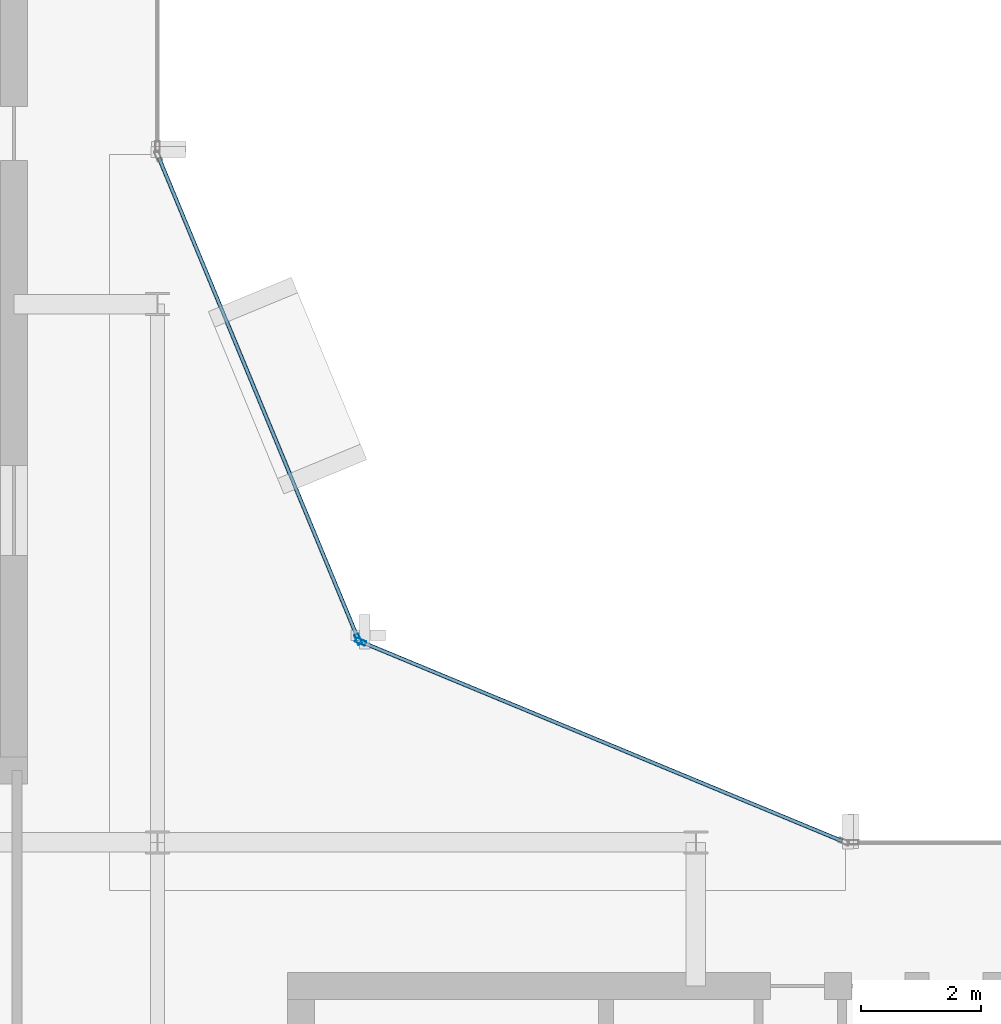
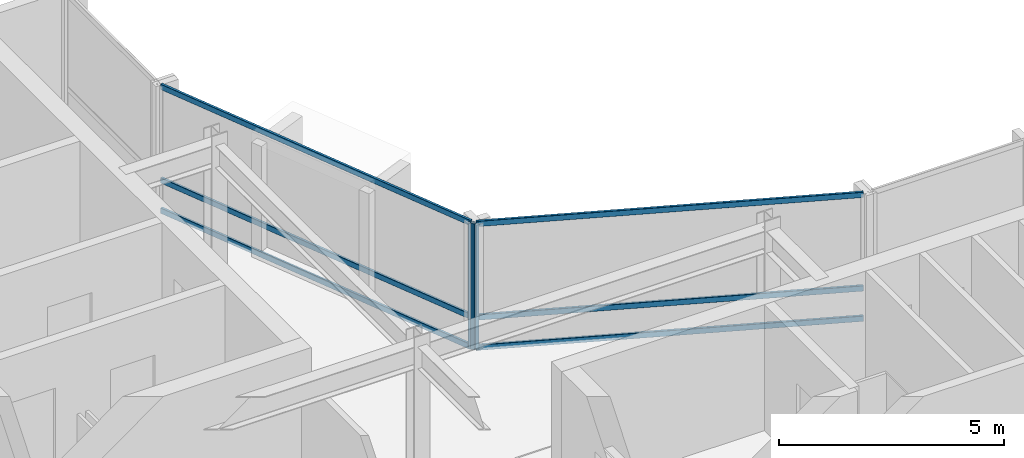
# One storey, part 8 of 19: 8 members, 2 elements without a shape of their own.
"""IFC4 building model written with IfcOpenShell, lengths in metres."""

from ifc_helpers import new_model, si_unit, direction, frame, origin, origin_2d, place, context, subcontext, project, spatial, hollow_rectangle, extrude, material, layer, layer_set, material_profile, profile_set, type_object, element, aggregate, save


model = new_model("IFC4")

# Units and contexts
model_context = context("Model", 3, precision=1e-05, world=origin(), true_north=direction((0.0, 1.0)))
body_context = subcontext(model_context, "Body", "Model", "MODEL_VIEW")
ifc_project = project(units=[si_unit("LENGTHUNIT", "METRE"), si_unit("AREAUNIT", "SQUARE_METRE"), si_unit("VOLUMEUNIT", "CUBIC_METRE"), si_unit("PLANEANGLEUNIT", "RADIAN"), si_unit("MASSUNIT", "GRAM", prefix="KILO")], contexts=[model_context])

# Site, building, storey
site_placement = place(None, origin())
site = spatial("IfcSite", under=ifc_project, at=site_placement, CompositionType="ELEMENT")
building_placement = place(site_placement, origin())
building = spatial("IfcBuilding", under=site, at=building_placement, Name="Solvaryn Broadcast Tower", CompositionType="ELEMENT")
storey_placement = place(building_placement, frame((0.0, 0.0, 259.300048828125)))
storey = spatial("IfcBuildingStorey", under=building, at=storey_placement, Name="L65", CompositionType="ELEMENT", Elevation=259.300048828125)

# Curtain wall, member
ifc_material_1 = material(Name="Aluminium and Terracotta Unitised Curtain Wall", Category="masonry")
ifc_layer = layer(ifc_material_1, 0.199951171875)
ifc_layer_set = layer_set([ifc_layer], Name="CW-SYS2-LOWMID")
curtain_wall_type = type_object("IfcCurtainWallType", Name="CW-SYS2-LOWMID", PredefinedType="NOTDEFINED", material=ifc_layer_set)
curtain_wall_1_placement = place(storey_placement, origin())
curtain_wall_1 = element("IfcCurtainWall", 1, at=curtain_wall_1_placement, inside=storey, type_object=curtain_wall_type, Name="L65 Curtain Wall CN1", PredefinedType="NOTDEFINED")
ifc_material_2 = material(Name="Anodised Aluminium 6063-T6", Category="aluminium")
ifc_material_profile_1 = material_profile(ifc_material_2, hollow_rectangle(XDim=0.074951171875, YDim=0.179931640625, WallThickness=0.00390625, InnerFilletRadius=0.00390625, OuterFilletRadius=0.008056640625, at=origin_2d()))
ifc_profile_set_1 = profile_set([ifc_material_profile_1], Name="Anodised Aluminium 6063-T6")
member_type_1 = type_object("IfcMemberType", Name="CW-MUL-180", PredefinedType="MULLION", material=ifc_profile_set_1)
member_1_placement = place(storey_placement, frame((30.395751953125, 30.3564453125, 0.0), z_axis=(0.0, 0.0, 1.0), x_axis=(-0.382646127145, -0.923894983957, 0.0)))
member_1 = element("IfcMember", 2, at=member_1_placement, type_object=member_type_1, Name="CWS2 mullion 2", PredefinedType="MULLION", context=body_context, shape_type="SweptSolid", body=[
    extrude(hollow_rectangle(XDim=0.074951171875, YDim=0.179931640625, WallThickness=0.00390625, InnerFilletRadius=0.00390625, OuterFilletRadius=0.008056640625, at=origin_2d()), origin(), (0.0, 0.0, 1.0), 3.419921875),
])

curtain_wall_2_placement = place(storey_placement, origin())
curtain_wall_2 = element("IfcCurtainWall", 3, at=curtain_wall_2_placement, inside=storey, type_object=curtain_wall_type, Name="L65 Curtain Wall CN2", PredefinedType="NOTDEFINED")
member_2_placement = place(storey_placement, frame((30.3564453125, 30.395751953125, 0.0), z_axis=(0.0, 0.0, 1.0), x_axis=(-0.923894983957, -0.382646127145, 0.0)))
member_2 = element("IfcMember", 4, at=member_2_placement, type_object=member_type_1, Name="CWS2 mullion 1", PredefinedType="MULLION", context=body_context, shape_type="SweptSolid", body=[
    extrude(hollow_rectangle(XDim=0.074951171875, YDim=0.179931640625, WallThickness=0.00390625, InnerFilletRadius=0.00390625, OuterFilletRadius=0.008056640625, at=origin_2d()), origin(), (0.0, 0.0, 1.0), 3.419921875),
])

# Member
ifc_material_3 = material(Name="Anodised Aluminium 6063-T6", Category="aluminium")
ifc_material_profile_2 = material_profile(ifc_material_3, hollow_rectangle(XDim=0.06494140625, YDim=0.14990234375, WallThickness=0.00390625, InnerFilletRadius=0.00390625, OuterFilletRadius=0.008056640625, at=origin_2d()))
ifc_profile_set_2 = profile_set([ifc_material_profile_2], Name="Anodised Aluminium 6063-T6")
member_type_2 = type_object("IfcMemberType", Name="CW-TRN-150", PredefinedType="USERDEFINED", material=ifc_profile_set_2)
member_3_placement = place(storey_placement, frame((38.444580078125, 27.02294921875, 0.030029296875), z_axis=(-0.923899282177, 0.382635748975, 0.0), x_axis=(-0.382635748975, -0.923899282177, 0.0)))
member_3 = element("IfcMember", 5, at=member_3_placement, type_object=member_type_2, Name="CWS2 transom 1.1", ObjectType="TRANSOM", PredefinedType="USERDEFINED", context=body_context, shape_type="SweptSolid", body=[
    extrude(hollow_rectangle(XDim=0.06494140625, YDim=0.14990234375, WallThickness=0.00390625, InnerFilletRadius=0.00390625, OuterFilletRadius=0.008056640625, at=origin_2d()), origin(), (0.0, 0.0, 1.0), 8.681884765625),
])

member_4_placement = place(storey_placement, frame((38.444580078125, 27.02294921875, 0.849853515625), z_axis=(-0.923899282177, 0.382635748975, 0.0), x_axis=(-0.382635748975, -0.923899282177, 0.0)))
member_4 = element("IfcMember", 6, at=member_4_placement, type_object=member_type_2, Name="CWS2 transom 1.2", ObjectType="TRANSOM", PredefinedType="USERDEFINED", context=body_context, shape_type="SweptSolid", body=[
    extrude(hollow_rectangle(XDim=0.06494140625, YDim=0.14990234375, WallThickness=0.00390625, InnerFilletRadius=0.00390625, OuterFilletRadius=0.008056640625, at=origin_2d()), origin(), (0.0, 0.0, 1.0), 8.681884765625),
])

member_5_placement = place(storey_placement, frame((38.444580078125, 27.02294921875, 3.389892578125), z_axis=(-0.923899282177, 0.382635748975, 0.0), x_axis=(-0.382635748975, -0.923899282177, 0.0)))
member_5 = element("IfcMember", 7, at=member_5_placement, type_object=member_type_2, Name="CWS2 transom 1.3", ObjectType="TRANSOM", PredefinedType="USERDEFINED", context=body_context, shape_type="SweptSolid", body=[
    extrude(hollow_rectangle(XDim=0.06494140625, YDim=0.14990234375, WallThickness=0.00390625, InnerFilletRadius=0.00390625, OuterFilletRadius=0.008056640625, at=origin_2d()), origin(), (0.0, 0.0, 1.0), 8.681884765625),
])

aggregate(curtain_wall_1, [member_1, member_3, member_4, member_5])

member_6_placement = place(storey_placement, frame((30.344970703125, 30.42333984375, 0.030029296875), z_axis=(-0.382635748975, 0.923899282177, 0.0), x_axis=(-0.923899282177, -0.382635748975, 0.0)))
member_6 = element("IfcMember", 8, at=member_6_placement, type_object=member_type_2, Name="CWS2 transom 1.1", ObjectType="TRANSOM", PredefinedType="USERDEFINED", context=body_context, shape_type="SweptSolid", body=[
    extrude(hollow_rectangle(XDim=0.06494140625, YDim=0.14990234375, WallThickness=0.00390625, InnerFilletRadius=0.00390625, OuterFilletRadius=0.008056640625, at=origin_2d()), origin(), (0.0, 0.0, 1.0), 8.681884765625),
])

member_7_placement = place(storey_placement, frame((30.344970703125, 30.42333984375, 0.849853515625), z_axis=(-0.382635748975, 0.923899282177, 0.0), x_axis=(-0.923899282177, -0.382635748975, 0.0)))
member_7 = element("IfcMember", 9, at=member_7_placement, type_object=member_type_2, Name="CWS2 transom 1.2", ObjectType="TRANSOM", PredefinedType="USERDEFINED", context=body_context, shape_type="SweptSolid", body=[
    extrude(hollow_rectangle(XDim=0.06494140625, YDim=0.14990234375, WallThickness=0.00390625, InnerFilletRadius=0.00390625, OuterFilletRadius=0.008056640625, at=origin_2d()), origin(), (0.0, 0.0, 1.0), 8.681884765625),
])

member_8_placement = place(storey_placement, frame((30.344970703125, 30.42333984375, 3.389892578125), z_axis=(-0.382635748975, 0.923899282177, 0.0), x_axis=(-0.923899282177, -0.382635748975, 0.0)))
member_8 = element("IfcMember", 10, at=member_8_placement, type_object=member_type_2, Name="CWS2 transom 1.3", ObjectType="TRANSOM", PredefinedType="USERDEFINED", context=body_context, shape_type="SweptSolid", body=[
    extrude(hollow_rectangle(XDim=0.06494140625, YDim=0.14990234375, WallThickness=0.00390625, InnerFilletRadius=0.00390625, OuterFilletRadius=0.008056640625, at=origin_2d()), origin(), (0.0, 0.0, 1.0), 8.681884765625),
])

aggregate(curtain_wall_2, [member_2, member_6, member_7, member_8])

save(model, "model.ifc")
